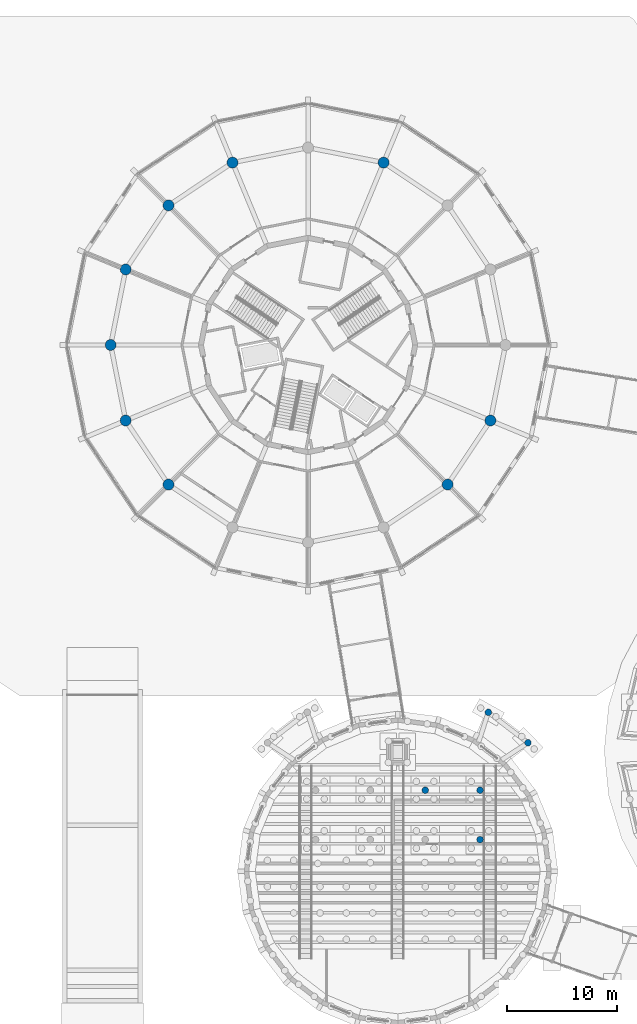
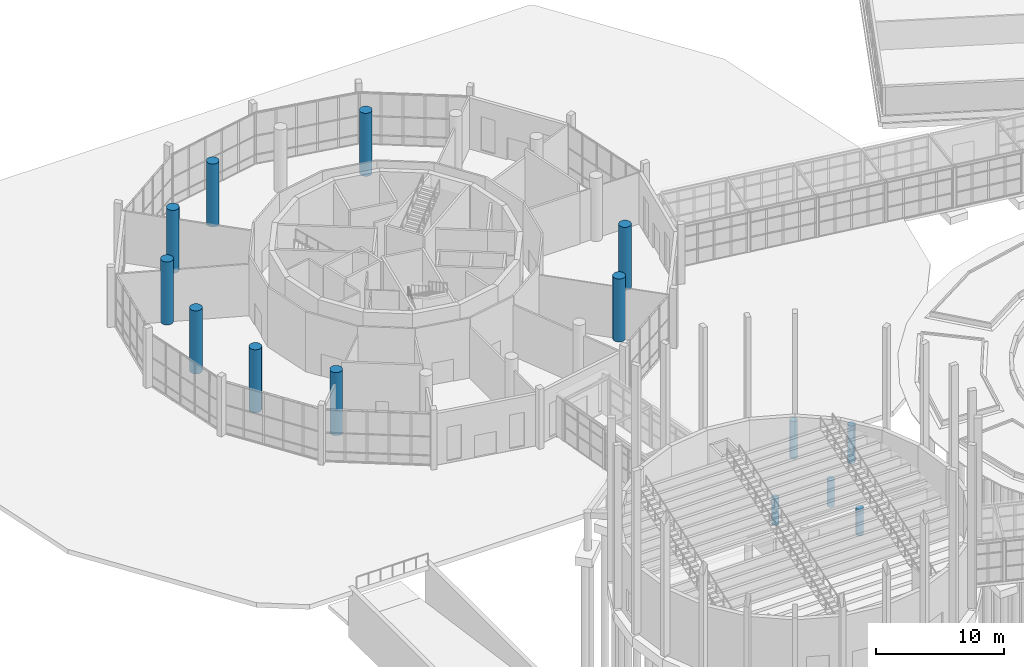
# One storey, part 21 of 226: 14 columns.
"""IFC4 building model written with IfcOpenShell, lengths in metres."""

from ifc_helpers import new_model, si_unit, direction, frame, origin, origin_2d, place, context, subcontext, project, spatial, circle, extrude, material, material_profile, profile_set, type_object, element, save


model = new_model("IFC4")

# Units and contexts
model_context = context("Model", 3, precision=1e-05, world=origin(), true_north=direction((0.0, 1.0)))
body_context = subcontext(model_context, "Body", "Model", "MODEL_VIEW")
ifc_project = project(units=[si_unit("LENGTHUNIT", "METRE"), si_unit("AREAUNIT", "SQUARE_METRE"), si_unit("VOLUMEUNIT", "CUBIC_METRE"), si_unit("PLANEANGLEUNIT", "RADIAN"), si_unit("MASSUNIT", "GRAM", prefix="KILO")], contexts=[model_context])

# Site, building, storey
site_placement = place(None, origin())
site = spatial("IfcSite", under=ifc_project, at=site_placement, CompositionType="ELEMENT")
building_placement = place(site_placement, origin())
building = spatial("IfcBuilding", under=site, at=building_placement, Name="Ceibo Conservatory and Research Tower", CompositionType="ELEMENT")
storey_placement = place(building_placement, origin())
storey = spatial("IfcBuildingStorey", under=building, at=storey_placement, Name="L00", CompositionType="ELEMENT", Elevation=0.0)

# Columns
ifc_material = material(Name="Concrete C40/50", Category="concrete")
ifc_material_profile_1 = material_profile(ifc_material, circle(Radius=0.5, at=origin_2d()), Name="RC D1000")
ifc_profile_set_1 = profile_set([ifc_material_profile_1], Name="Concrete C40/50")
column_type_1 = type_object("IfcColumnType", Name="RC column D1000 C40", PredefinedType="COLUMN", material=ifc_profile_set_1)
for number, where, z_axis, x_axis, name in (
    (1, (54.88818359375, 136.6298828125, 0.0), (0.0, 0.0, 1.0), (1.0, 0.0, 0.0), "Column R4 L00"),
    (2, (41.11181640625, 136.6298828125, 0.0), (0.0, 0.0, 1.0), (1.0, 0.0, 0.0), "Column R6 L00"),
    (3, (35.27197265625, 132.72802734375, 0.0), (0.0, 0.0, 1.0), (1.0, 0.0, 0.0), "Column R7 L00"),
    (4, (31.3701171875, 126.88818359375, 0.0), (0.0, 0.0, 1.0), (1.0, 0.0, 0.0), "Column R8 L00"),
    (5, (30.0, 120.0, 0.0), (0.0, 0.0, 1.0), (1.0, 0.0, 0.0), "Column R9 L00"),
    (6, (31.3701171875, 113.11181640625, 0.0), (0.0, 0.0, 1.0), (1.0, 0.0, 0.0), "Column R10 L00"),
    (7, (35.27197265625, 107.27197265625, 0.0), (0.0, 0.0, 1.0), (1.0, 0.0, 0.0), "Column R11 L00"),
    (8, (60.72802734375, 107.27197265625, 0.0), (0.0, 0.0, 1.0), (1.0, 0.0, 0.0), "Column R15 L00"),
    (9, (64.6298828125, 113.11181640625, 0.0), (0.0, 0.0, 1.0), (1.0, 0.0, 0.0), "Column R16 L00"),
):
    element("IfcColumn", number, at=place(storey_placement, frame(where, z_axis=z_axis, x_axis=x_axis)), inside=storey, type_object=column_type_1, Name=name, PredefinedType="COLUMN", context=body_context, shape_type="SweptSolid", body=[
        extrude(circle(Radius=0.5, at=origin_2d()), origin(), (0.0, 0.0, 1.0), 6.0),
    ])
ifc_material_profile_2 = material_profile(ifc_material, circle(Radius=0.300048828125, at=origin_2d()), Name="RC D600")
ifc_profile_set_2 = profile_set([ifc_material_profile_2], Name="Concrete C40/50")
column_type_2 = type_object("IfcColumnType", Name="RC column D600 C40", PredefinedType="COLUMN", material=ifc_profile_set_2)
for number, where, z_axis, x_axis, name in (
    (10, (63.68017578125, 74.89990234375, 0.0), (0.0, 0.0, 1.0), (1.0, 0.0, 0.0), "Foyer column 14"),
    (11, (58.68017578125, 79.39990234375, 0.0), (0.0, 0.0, 1.0), (1.0, 0.0, 0.0), "Foyer column 23"),
    (12, (63.68017578125, 79.39990234375, 0.0), (0.0, 0.0, 1.0), (1.0, 0.0, 0.0), "Foyer column 24"),
):
    element("IfcColumn", number, at=place(storey_placement, frame(where, z_axis=z_axis, x_axis=x_axis)), inside=storey, type_object=column_type_2, Name=name, PredefinedType="COLUMN", context=body_context, shape_type="SweptSolid", body=[
        extrude(circle(Radius=0.300048828125, at=origin_2d()), origin(), (0.0, 0.0, 1.0), 2.550048828125),
    ])
for number, where, z_axis, x_axis, name in (
    (13, (68.0498046875, 83.72802734375, 0.0), (0.0, 0.0, 1.0), (1.0, 0.0, 0.0), "Canopy column F04-1"),
    (14, (64.436279296875, 86.500732421875, 0.0), (0.0, 0.0, 1.0), (1.0, 0.0, 0.0), "Canopy column F04-2"),
):
    element("IfcColumn", number, at=place(storey_placement, frame(where, z_axis=z_axis, x_axis=x_axis)), inside=storey, type_object=column_type_2, Name=name, PredefinedType="COLUMN", context=body_context, shape_type="SweptSolid", body=[
        extrude(circle(Radius=0.300048828125, at=origin_2d()), origin(), (0.0, 0.0, 1.0), 3.60009765625),
    ])

save(model, "model.ifc")
